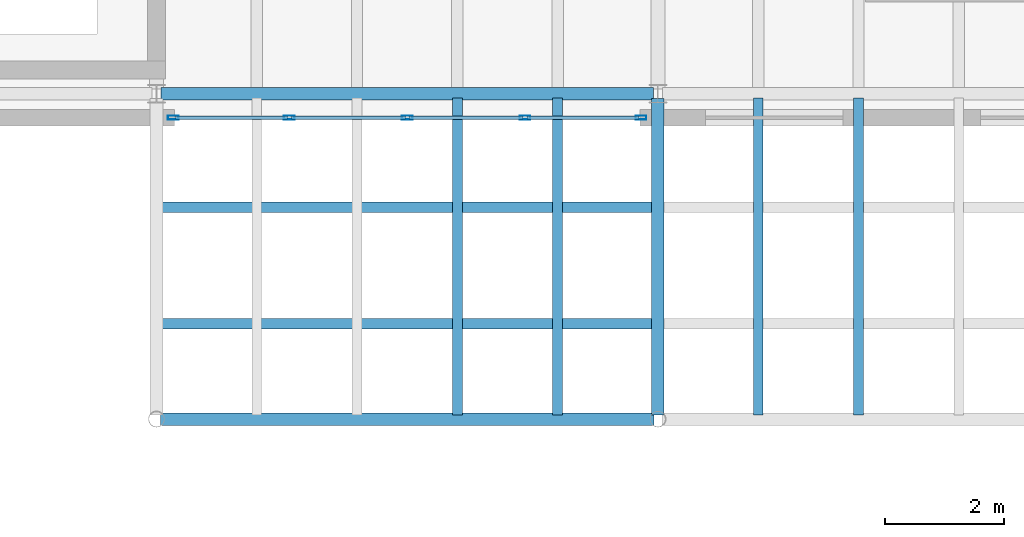
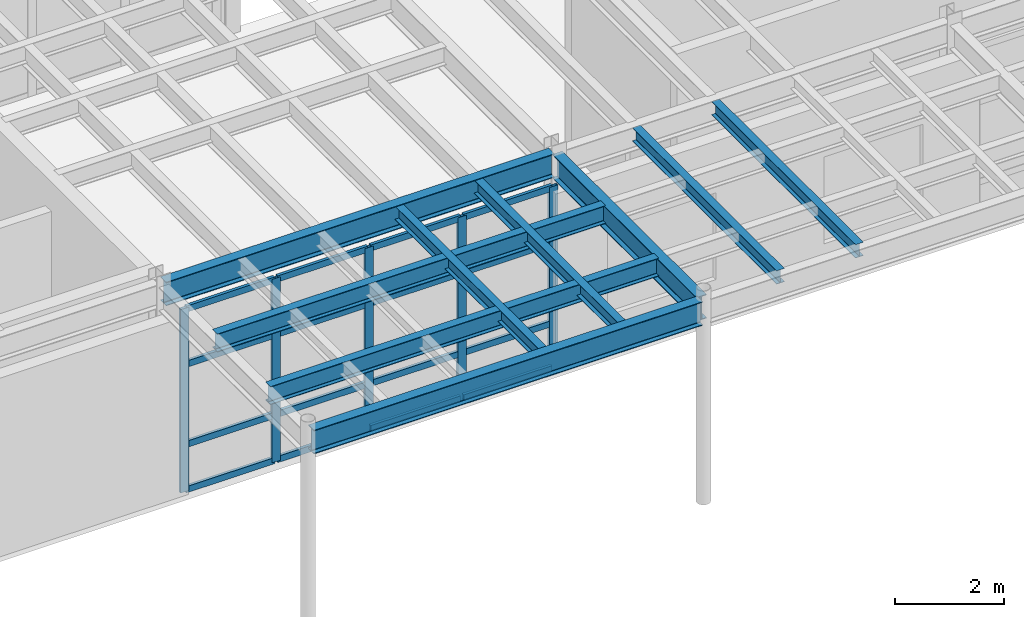
# One storey, part 41 of 116: 21 members, 9 beams, 1 element without a shape of its own.
"""IFC4 building model written with IfcOpenShell, lengths in metres."""

from ifc_helpers import new_model, si_unit, direction, frame, origin, origin_2d, place, context, subcontext, project, spatial, hollow_rectangle, i_section, extrude, material, layer, layer_set, material_profile, profile_set, type_object, element, aggregate, save


model = new_model("IFC4")

# Units and contexts
model_context = context("Model", 3, precision=1e-05, world=origin(), true_north=direction((0.0, 1.0)))
body_context = subcontext(model_context, "Body", "Model", "MODEL_VIEW")
ifc_project = project(units=[si_unit("LENGTHUNIT", "METRE"), si_unit("AREAUNIT", "SQUARE_METRE"), si_unit("VOLUMEUNIT", "CUBIC_METRE"), si_unit("PLANEANGLEUNIT", "RADIAN"), si_unit("MASSUNIT", "GRAM", prefix="KILO")], contexts=[model_context])

# Site, building, storey
site_placement = place(None, origin())
site = spatial("IfcSite", under=ifc_project, at=site_placement, CompositionType="ELEMENT")
building_placement = place(site_placement, origin())
building = spatial("IfcBuilding", under=site, at=building_placement, Name="Selat Folded Stagehouse", CompositionType="ELEMENT")
storey_placement = place(building_placement, frame((0.0, 0.0, 5.39990234375)))
storey = spatial("IfcBuildingStorey", under=building, at=storey_placement, Name="L01", CompositionType="ELEMENT", Elevation=5.39990234375)

# Beams
ifc_material_1 = material(Name="Steel S355", Category="steel")
ifc_material_profile_1 = material_profile(ifc_material_1, i_section(OverallWidth=0.210693359375, OverallDepth=0.53955078125, WebThickness=0.01171875, FlangeThickness=0.018798828125, FilletRadius=0.0126953125, at=origin_2d()), Name="UKB 533x210x109")
ifc_profile_set_1 = profile_set([ifc_material_profile_1], Name="Steel S355")
beam_type_1 = type_object("IfcBeamType", Name="BM-GIRD-533x210x109", PredefinedType="BEAM", material=ifc_profile_set_1)
beam_1_placement = place(storey_placement, frame((92.39990234375, 0.418212890625, 4.290283203125), z_axis=(0.0, 1.0, 0.0), x_axis=(-1.0, 0.0, 0.0)))
element("IfcBeam", 1, at=beam_1_placement, inside=storey, type_object=beam_type_1, Name="L01 primary y-girder 0830", PredefinedType="BEAM", context=body_context, shape_type="SweptSolid", body=[
    extrude(i_section(OverallWidth=0.210693359375, OverallDepth=0.53955078125, WebThickness=0.01171875, FlangeThickness=0.018798828125, FilletRadius=0.0126953125, at=origin_2d()), origin(), (0.0, 0.0, 1.0), 5.3046875),
])
ifc_material_profile_2 = material_profile(ifc_material_1, i_section(OverallWidth=0.209228515625, OverallDepth=0.533203125, WebThickness=0.010009765625, FlangeThickness=0.015625, FilletRadius=0.0126953125, at=origin_2d()), Name="UKB 533x210x92")
ifc_profile_set_2 = profile_set([ifc_material_profile_2], Name="Steel S355")
beam_type_2 = type_object("IfcBeamType", Name="BM-GIRD-533x210x92", PredefinedType="BEAM", material=ifc_profile_set_2)
beam_2_placement = place(storey_placement, frame((84.068359375, 0.35009765625, 4.293701171875), z_axis=(1.0, 0.0, 0.0), x_axis=(0.0, 1.0, 0.0)))
element("IfcBeam", 2, at=beam_2_placement, inside=storey, type_object=beam_type_2, Name="L01 primary x-girder 0753", PredefinedType="BEAM", context=body_context, shape_type="SweptSolid", body=[
    extrude(i_section(OverallWidth=0.209228515625, OverallDepth=0.533203125, WebThickness=0.010009765625, FlangeThickness=0.015625, FilletRadius=0.0126953125, at=origin_2d()), origin(), (0.0, 0.0, 1.0), 8.263427734375),
])
beam_3_placement = place(storey_placement, frame((84.076904296875, 5.800048828125, 4.3134765625), z_axis=(1.0, 0.0, 0.0), x_axis=(0.0, 1.0, 0.0)))
element("IfcBeam", 3, at=beam_3_placement, inside=storey, type_object=beam_type_2, Name="L01 primary x-girder 0762", PredefinedType="BEAM", context=body_context, shape_type="SweptSolid", body=[
    extrude(i_section(OverallWidth=0.209228515625, OverallDepth=0.533203125, WebThickness=0.010009765625, FlangeThickness=0.015625, FilletRadius=0.0126953125, at=origin_2d()), origin(), (0.0, 0.0, 1.0), 8.24609375),
])

# Curtain wall, members
ifc_material_2 = material(Name="Aluminium 6063-T6", Category="aluminium")
ifc_layer = layer(ifc_material_2, 0.2099609375)
ifc_layer_set = layer_set([ifc_layer], Name="Aluminium 6063-T6")
curtain_wall_type = type_object("IfcCurtainWallType", Name="CW-FYR-SOUTH", PredefinedType="NOTDEFINED", material=ifc_layer_set)
curtain_wall_placement = place(storey_placement, origin())
curtain_wall = element("IfcCurtainWall", 4, at=curtain_wall_placement, inside=storey, type_object=curtain_wall_type, Name="L01 curtain wall CW-FYR-L01-04", PredefinedType="NOTDEFINED")
ifc_material_profile_3 = material_profile(ifc_material_2, hollow_rectangle(XDim=0.06494140625, YDim=0.179931640625, WallThickness=0.00390625, at=origin_2d()), Name="ALU 180x65x4.0")
ifc_profile_set_3 = profile_set([ifc_material_profile_3], Name="Aluminium 6063-T6")
member_type_1 = type_object("IfcMemberType", Name="CWM-MUL-180x65", PredefinedType="MULLION", material=ifc_profile_set_3)
member_1_placement = place(storey_placement, frame((92.117431640625, 5.39990234375, 0.0), z_axis=(0.0, 0.0, 1.0), x_axis=(0.0, -1.0, 0.0)))
member_1 = element("IfcMember", 5, at=member_1_placement, type_object=member_type_1, Name="CW-04 mullion 1", PredefinedType="MULLION", context=body_context, shape_type="SweptSolid", body=[
    extrude(hollow_rectangle(XDim=0.06494140625, YDim=0.179931640625, WallThickness=0.00390625, at=origin_2d()), origin(), (0.0, 0.0, 1.0), 4.1201171875),
])
member_2_placement = place(storey_placement, frame((90.175048828125, 5.39990234375, 0.0), z_axis=(0.0, 0.0, 1.0), x_axis=(0.0, -1.0, 0.0)))
member_2 = element("IfcMember", 6, at=member_2_placement, type_object=member_type_1, Name="CW-04 mullion 2", PredefinedType="MULLION", context=body_context, shape_type="SweptSolid", body=[
    extrude(hollow_rectangle(XDim=0.06494140625, YDim=0.179931640625, WallThickness=0.00390625, at=origin_2d()), origin(), (0.0, 0.0, 1.0), 4.1201171875),
])
member_3_placement = place(storey_placement, frame((88.199951171875, 5.39990234375, 0.0), z_axis=(0.0, 0.0, 1.0), x_axis=(0.0, -1.0, 0.0)))
member_3 = element("IfcMember", 7, at=member_3_placement, type_object=member_type_1, Name="CW-04 mullion 3", PredefinedType="MULLION", context=body_context, shape_type="SweptSolid", body=[
    extrude(hollow_rectangle(XDim=0.06494140625, YDim=0.179931640625, WallThickness=0.00390625, at=origin_2d()), origin(), (0.0, 0.0, 1.0), 4.1201171875),
])
member_4_placement = place(storey_placement, frame((86.22509765625, 5.39990234375, 0.0), z_axis=(0.0, 0.0, 1.0), x_axis=(0.0, -1.0, 0.0)))
member_4 = element("IfcMember", 8, at=member_4_placement, type_object=member_type_1, Name="CW-04 mullion 4", PredefinedType="MULLION", context=body_context, shape_type="SweptSolid", body=[
    extrude(hollow_rectangle(XDim=0.06494140625, YDim=0.179931640625, WallThickness=0.00390625, at=origin_2d()), origin(), (0.0, 0.0, 1.0), 4.1201171875),
])
member_5_placement = place(storey_placement, frame((84.282470703125, 5.39990234375, 0.0), z_axis=(0.0, 0.0, 1.0), x_axis=(0.0, -1.0, 0.0)))
member_5 = element("IfcMember", 9, at=member_5_placement, type_object=member_type_1, Name="CW-04 mullion 5", PredefinedType="MULLION", context=body_context, shape_type="SweptSolid", body=[
    extrude(hollow_rectangle(XDim=0.06494140625, YDim=0.179931640625, WallThickness=0.00390625, at=origin_2d()), origin(), (0.0, 0.0, 1.0), 4.1201171875),
])
ifc_material_profile_4 = material_profile(ifc_material_2, hollow_rectangle(XDim=0.06494140625, YDim=0.139892578125, WallThickness=0.00390625, at=origin_2d()), Name="ALU 140x65x4.0")
ifc_profile_set_4 = profile_set([ifc_material_profile_4], Name="Aluminium 6063-T6")
member_type_2 = type_object("IfcMemberType", Name="CWM-TRN-140x65", PredefinedType="USERDEFINED", material=ifc_profile_set_4)
member_6_placement = place(storey_placement, frame((92.0849609375, 5.39990234375, 0.03271484375), z_axis=(-1.0, 0.0, 0.0), x_axis=(0.0, -1.0, 0.0)))
member_6 = element("IfcMember", 10, at=member_6_placement, type_object=member_type_2, Name="CW-04 transom 1.1", ObjectType="TRANSOM", PredefinedType="USERDEFINED", context=body_context, shape_type="SweptSolid", body=[
    extrude(hollow_rectangle(XDim=0.06494140625, YDim=0.139892578125, WallThickness=0.00390625, at=origin_2d()), origin(), (0.0, 0.0, 1.0), 1.87744140625),
])
member_7_placement = place(storey_placement, frame((92.0849609375, 5.39990234375, 1.050048828125), z_axis=(-1.0, 0.0, 0.0), x_axis=(0.0, -1.0, 0.0)))
member_7 = element("IfcMember", 11, at=member_7_placement, type_object=member_type_2, Name="CW-04 transom 1.2", ObjectType="TRANSOM", PredefinedType="USERDEFINED", context=body_context, shape_type="SweptSolid", body=[
    extrude(hollow_rectangle(XDim=0.06494140625, YDim=0.139892578125, WallThickness=0.00390625, at=origin_2d()), origin(), (0.0, 0.0, 1.0), 1.87744140625),
])
member_8_placement = place(storey_placement, frame((92.0849609375, 5.39990234375, 2.85009765625), z_axis=(-1.0, 0.0, 0.0), x_axis=(0.0, -1.0, 0.0)))
member_8 = element("IfcMember", 12, at=member_8_placement, type_object=member_type_2, Name="CW-04 transom 1.3", ObjectType="TRANSOM", PredefinedType="USERDEFINED", context=body_context, shape_type="SweptSolid", body=[
    extrude(hollow_rectangle(XDim=0.06494140625, YDim=0.139892578125, WallThickness=0.00390625, at=origin_2d()), origin(), (0.0, 0.0, 1.0), 1.87744140625),
])
member_9_placement = place(storey_placement, frame((92.0849609375, 5.39990234375, 4.087646484375), z_axis=(-1.0, 0.0, 0.0), x_axis=(0.0, -1.0, 0.0)))
member_9 = element("IfcMember", 13, at=member_9_placement, type_object=member_type_2, Name="CW-04 transom 1.4", ObjectType="TRANSOM", PredefinedType="USERDEFINED", context=body_context, shape_type="SweptSolid", body=[
    extrude(hollow_rectangle(XDim=0.06494140625, YDim=0.139892578125, WallThickness=0.00390625, at=origin_2d()), origin(), (0.0, 0.0, 1.0), 1.87744140625),
])
member_10_placement = place(storey_placement, frame((90.142578125, 5.39990234375, 0.03271484375), z_axis=(-1.0, 0.0, 0.0), x_axis=(0.0, -1.0, 0.0)))
member_10 = element("IfcMember", 14, at=member_10_placement, type_object=member_type_2, Name="CW-04 transom 2.1", ObjectType="TRANSOM", PredefinedType="USERDEFINED", context=body_context, shape_type="SweptSolid", body=[
    extrude(hollow_rectangle(XDim=0.06494140625, YDim=0.139892578125, WallThickness=0.00390625, at=origin_2d()), origin(), (0.0, 0.0, 1.0), 1.91015625),
])
member_11_placement = place(storey_placement, frame((90.142578125, 5.39990234375, 1.050048828125), z_axis=(-1.0, 0.0, 0.0), x_axis=(0.0, -1.0, 0.0)))
member_11 = element("IfcMember", 15, at=member_11_placement, type_object=member_type_2, Name="CW-04 transom 2.2", ObjectType="TRANSOM", PredefinedType="USERDEFINED", context=body_context, shape_type="SweptSolid", body=[
    extrude(hollow_rectangle(XDim=0.06494140625, YDim=0.139892578125, WallThickness=0.00390625, at=origin_2d()), origin(), (0.0, 0.0, 1.0), 1.91015625),
])
member_12_placement = place(storey_placement, frame((90.142578125, 5.39990234375, 2.85009765625), z_axis=(-1.0, 0.0, 0.0), x_axis=(0.0, -1.0, 0.0)))
member_12 = element("IfcMember", 16, at=member_12_placement, type_object=member_type_2, Name="CW-04 transom 2.3", ObjectType="TRANSOM", PredefinedType="USERDEFINED", context=body_context, shape_type="SweptSolid", body=[
    extrude(hollow_rectangle(XDim=0.06494140625, YDim=0.139892578125, WallThickness=0.00390625, at=origin_2d()), origin(), (0.0, 0.0, 1.0), 1.91015625),
])
member_13_placement = place(storey_placement, frame((90.142578125, 5.39990234375, 4.087646484375), z_axis=(-1.0, 0.0, 0.0), x_axis=(0.0, -1.0, 0.0)))
member_13 = element("IfcMember", 17, at=member_13_placement, type_object=member_type_2, Name="CW-04 transom 2.4", ObjectType="TRANSOM", PredefinedType="USERDEFINED", context=body_context, shape_type="SweptSolid", body=[
    extrude(hollow_rectangle(XDim=0.06494140625, YDim=0.139892578125, WallThickness=0.00390625, at=origin_2d()), origin(), (0.0, 0.0, 1.0), 1.91015625),
])
member_14_placement = place(storey_placement, frame((88.16748046875, 5.39990234375, 0.03271484375), z_axis=(-1.0, 0.0, 0.0), x_axis=(0.0, -1.0, 0.0)))
member_14 = element("IfcMember", 18, at=member_14_placement, type_object=member_type_2, Name="CW-04 transom 3.1", ObjectType="TRANSOM", PredefinedType="USERDEFINED", context=body_context, shape_type="SweptSolid", body=[
    extrude(hollow_rectangle(XDim=0.06494140625, YDim=0.139892578125, WallThickness=0.00390625, at=origin_2d()), origin(), (0.0, 0.0, 1.0), 1.909912109375),
])
member_15_placement = place(storey_placement, frame((88.16748046875, 5.39990234375, 1.050048828125), z_axis=(-1.0, 0.0, 0.0), x_axis=(0.0, -1.0, 0.0)))
member_15 = element("IfcMember", 19, at=member_15_placement, type_object=member_type_2, Name="CW-04 transom 3.2", ObjectType="TRANSOM", PredefinedType="USERDEFINED", context=body_context, shape_type="SweptSolid", body=[
    extrude(hollow_rectangle(XDim=0.06494140625, YDim=0.139892578125, WallThickness=0.00390625, at=origin_2d()), origin(), (0.0, 0.0, 1.0), 1.909912109375),
])
member_16_placement = place(storey_placement, frame((88.16748046875, 5.39990234375, 2.85009765625), z_axis=(-1.0, 0.0, 0.0), x_axis=(0.0, -1.0, 0.0)))
member_16 = element("IfcMember", 20, at=member_16_placement, type_object=member_type_2, Name="CW-04 transom 3.3", ObjectType="TRANSOM", PredefinedType="USERDEFINED", context=body_context, shape_type="SweptSolid", body=[
    extrude(hollow_rectangle(XDim=0.06494140625, YDim=0.139892578125, WallThickness=0.00390625, at=origin_2d()), origin(), (0.0, 0.0, 1.0), 1.909912109375),
])
member_17_placement = place(storey_placement, frame((88.16748046875, 5.39990234375, 4.087646484375), z_axis=(-1.0, 0.0, 0.0), x_axis=(0.0, -1.0, 0.0)))
member_17 = element("IfcMember", 21, at=member_17_placement, type_object=member_type_2, Name="CW-04 transom 3.4", ObjectType="TRANSOM", PredefinedType="USERDEFINED", context=body_context, shape_type="SweptSolid", body=[
    extrude(hollow_rectangle(XDim=0.06494140625, YDim=0.139892578125, WallThickness=0.00390625, at=origin_2d()), origin(), (0.0, 0.0, 1.0), 1.909912109375),
])
member_18_placement = place(storey_placement, frame((86.1923828125, 5.39990234375, 0.03271484375), z_axis=(-1.0, 0.0, 0.0), x_axis=(0.0, -1.0, 0.0)))
member_18 = element("IfcMember", 22, at=member_18_placement, type_object=member_type_2, Name="CW-04 transom 4.1", ObjectType="TRANSOM", PredefinedType="USERDEFINED", context=body_context, shape_type="SweptSolid", body=[
    extrude(hollow_rectangle(XDim=0.06494140625, YDim=0.139892578125, WallThickness=0.00390625, at=origin_2d()), origin(), (0.0, 0.0, 1.0), 1.87744140625),
])
member_19_placement = place(storey_placement, frame((86.1923828125, 5.39990234375, 1.050048828125), z_axis=(-1.0, 0.0, 0.0), x_axis=(0.0, -1.0, 0.0)))
member_19 = element("IfcMember", 23, at=member_19_placement, type_object=member_type_2, Name="CW-04 transom 4.2", ObjectType="TRANSOM", PredefinedType="USERDEFINED", context=body_context, shape_type="SweptSolid", body=[
    extrude(hollow_rectangle(XDim=0.06494140625, YDim=0.139892578125, WallThickness=0.00390625, at=origin_2d()), origin(), (0.0, 0.0, 1.0), 1.87744140625),
])
member_20_placement = place(storey_placement, frame((86.1923828125, 5.39990234375, 2.85009765625), z_axis=(-1.0, 0.0, 0.0), x_axis=(0.0, -1.0, 0.0)))
member_20 = element("IfcMember", 24, at=member_20_placement, type_object=member_type_2, Name="CW-04 transom 4.3", ObjectType="TRANSOM", PredefinedType="USERDEFINED", context=body_context, shape_type="SweptSolid", body=[
    extrude(hollow_rectangle(XDim=0.06494140625, YDim=0.139892578125, WallThickness=0.00390625, at=origin_2d()), origin(), (0.0, 0.0, 1.0), 1.87744140625),
])
member_21_placement = place(storey_placement, frame((86.1923828125, 5.39990234375, 4.087646484375), z_axis=(-1.0, 0.0, 0.0), x_axis=(0.0, -1.0, 0.0)))
member_21 = element("IfcMember", 25, at=member_21_placement, type_object=member_type_2, Name="CW-04 transom 4.4", ObjectType="TRANSOM", PredefinedType="USERDEFINED", context=body_context, shape_type="SweptSolid", body=[
    extrude(hollow_rectangle(XDim=0.06494140625, YDim=0.139892578125, WallThickness=0.00390625, at=origin_2d()), origin(), (0.0, 0.0, 1.0), 1.87744140625),
])
aggregate(curtain_wall, [member_1, member_2, member_3, member_4, member_5, member_6, member_7, member_8, member_9, member_10, member_11, member_12, member_13, member_14, member_15, member_16, member_17, member_18, member_19, member_20, member_21])

# Beams
ifc_material_profile_5 = material_profile(ifc_material_1, i_section(OverallWidth=0.1650390625, OverallDepth=0.303466796875, WebThickness=0.006103515625, FlangeThickness=0.01025390625, FilletRadius=0.0087890625, at=origin_2d()), Name="UKB 305x165x40")
ifc_profile_set_5 = profile_set([ifc_material_profile_5], Name="Steel S355")
beam_type_3 = type_object("IfcBeamType", Name="JST-305x165x40", PredefinedType="JOIST", material=ifc_profile_set_5)
for number, where, z_axis, x_axis, name in (
    (26, (89.0400390625, 0.42333984375, 4.408447265625), (0.0, 1.0, 0.0), (-1.0, 0.0, 0.0), "L01 secondary floor joist 0886"),
    (27, (90.719970703125, 0.42333984375, 4.408447265625), (0.0, 1.0, 0.0), (-1.0, 0.0, 0.0), "L01 secondary floor joist 0888"),
    (28, (94.080078125, 0.42333984375, 4.408447265625), (0.0, 1.0, 0.0), (-1.0, 0.0, 0.0), "L01 secondary floor joist 0890"),
    (29, (95.760009765625, 0.42333984375, 4.408447265625), (0.0, 1.0, 0.0), (-1.0, 0.0, 0.0), "L01 secondary floor joist 0892"),
):
    element("IfcBeam", number, at=place(storey_placement, frame(where, z_axis=z_axis, x_axis=x_axis)), inside=storey, type_object=beam_type_3, Name=name, PredefinedType="JOIST", context=body_context, shape_type="SweptSolid", body=[
        extrude(i_section(OverallWidth=0.1650390625, OverallDepth=0.303466796875, WebThickness=0.006103515625, FlangeThickness=0.01025390625, FilletRadius=0.0087890625, at=origin_2d()), origin(), (0.0, 0.0, 1.0), 5.303466796875),
    ])
ifc_material_profile_6 = material_profile(ifc_material_1, i_section(OverallWidth=0.177978515625, OverallDepth=0.406494140625, WebThickness=0.0078125, FlangeThickness=0.0126953125, FilletRadius=0.01025390625, at=origin_2d()), Name="UKB 406x178x60")
ifc_profile_set_6 = profile_set([ifc_material_profile_6], Name="Steel S355")
beam_type_4 = type_object("IfcBeamType", Name="JST-406x178x60", PredefinedType="JOIST", material=ifc_profile_set_6)
for number, where, z_axis, x_axis, name in (
    (30, (84.07373046875, 1.949951171875, 4.35693359375), (1.0, 0.0, 0.0), (0.0, 1.0, 0.0), "L01 secondary x-joist 0926"),
    (31, (84.07373046875, 3.89990234375, 4.35693359375), (1.0, 0.0, 0.0), (0.0, 1.0, 0.0), "L01 secondary x-joist 0931"),
):
    element("IfcBeam", number, at=place(storey_placement, frame(where, z_axis=z_axis, x_axis=x_axis)), inside=storey, type_object=beam_type_4, Name=name, PredefinedType="JOIST", context=body_context, shape_type="SweptSolid", body=[
        extrude(i_section(OverallWidth=0.177978515625, OverallDepth=0.406494140625, WebThickness=0.0078125, FlangeThickness=0.0126953125, FilletRadius=0.01025390625, at=origin_2d()), origin(), (0.0, 0.0, 1.0), 8.25244140625),
    ])

save(model, "model.ifc")
